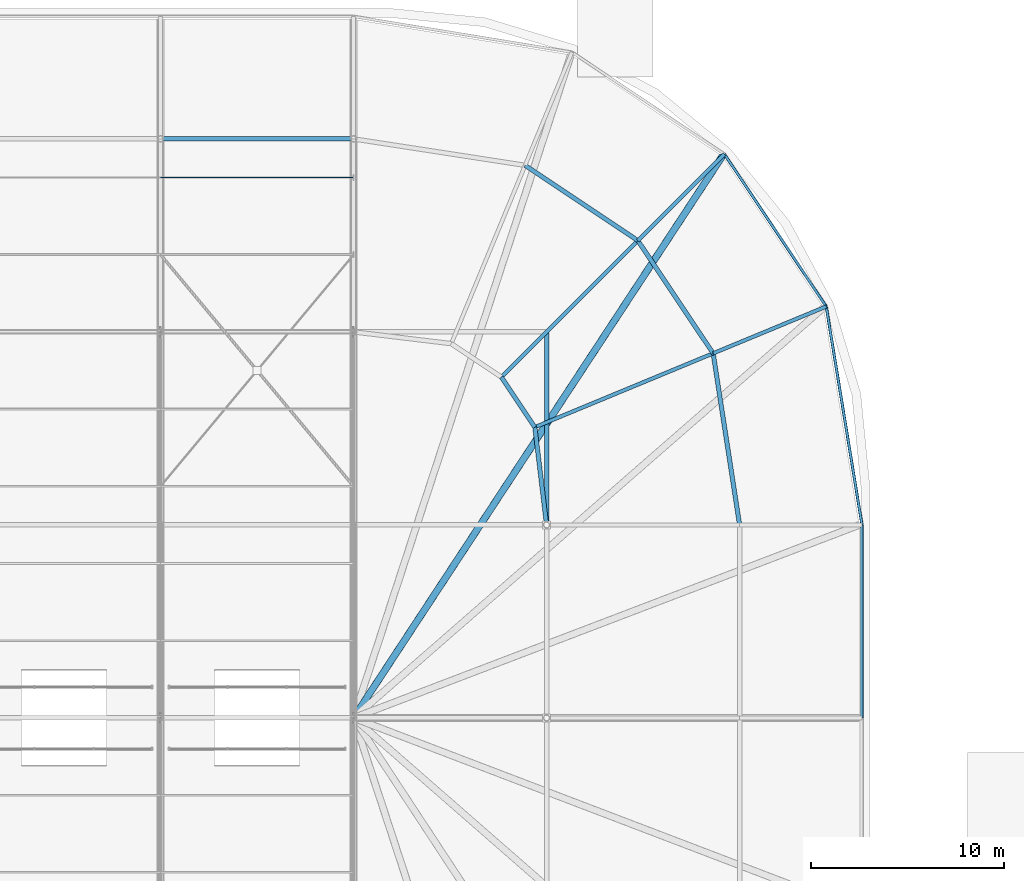
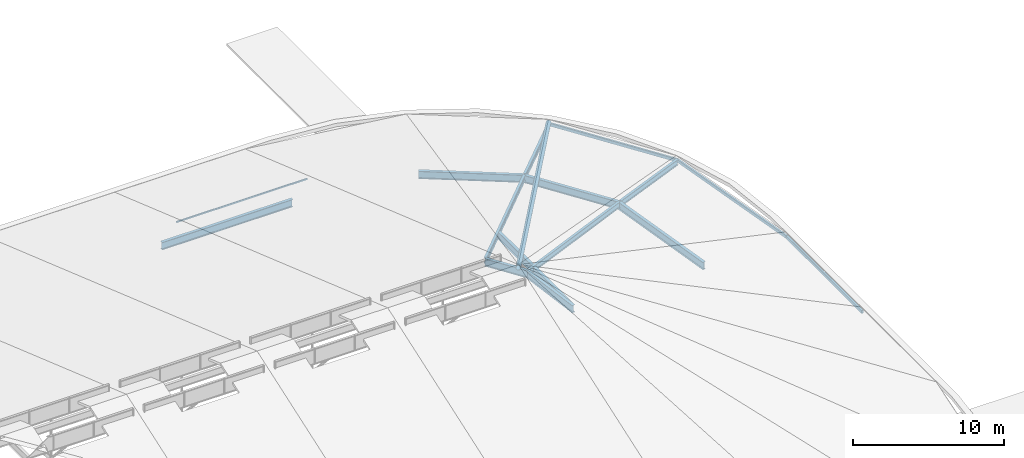
# One storey, part 73 of 93: 14 beams, 2 members.
"""IFC4 building model written with IfcOpenShell, lengths in metres."""

import ifcopenshell
import ifcopenshell.guid

model = None  # the IFC model being written
_history = None  # IfcOwnerHistory: only IFC2X3 demands one
_inside = {}  # id of a spatial element -> (the spatial element, [elements in it])
_under = {}  # id of a project, library or spatial element -> (it, [spatial elements below it])
_declared = {}  # id of a project -> (the project, [libraries it declares])
_typed = {}  # id of a type object -> (the type object, [elements of that type])
_made_of = {}  # id of a material, layer set ... -> (it, [elements and type objects made of it])


def new_model(schema):
    """Start an empty IFC model of exactly this schema.

    Asked for "IFC4X3", IfcOpenShell would pick the latest addendum, in which some entities
    have other attributes; the version numbers below select the first issue.
    IFC2X3 requires an IfcOwnerHistory on every rooted entity: one is made here for all.
    """
    global model, _history
    if schema == "IFC4X3":
        model = ifcopenshell.file(schema_version=(4, 3, 0, 0))
    else:
        model = ifcopenshell.file(schema=schema)
    _inside.clear()
    _under.clear()
    _declared.clear()
    _typed.clear()
    _made_of.clear()
    _history = None
    if model.schema == "IFC2X3":
        org = make("IfcOrganization", Name="unknown")
        user = make(
            "IfcPersonAndOrganization",
            ThePerson=make("IfcPerson", FamilyName="unknown"),
            TheOrganization=org,
        )
        app = make(
            "IfcApplication",
            ApplicationDeveloper=org,
            Version="unknown",
            ApplicationFullName="unknown",
            ApplicationIdentifier="unknown",
        )
        _history = make(
            "IfcOwnerHistory",
            OwningUser=user,
            OwningApplication=app,
            ChangeAction="ADDED",
            CreationDate=0,
        )
    return model


def make(cls, **values):
    """One entity of the class cls with the attributes given. An attribute that is None is left unset."""
    return model.create_entity(
        cls, **{name: value for name, value in values.items() if value is not None}
    )


def rooted(cls, **values):
    """An entity with a GlobalId (a new one), such as an element, a storey or a relation."""
    return make(cls, GlobalId=ifcopenshell.guid.new(), OwnerHistory=_history, **values)


def si_unit(unit_type, name, prefix=None):
    """IfcSIUnit, for example si_unit("LENGTHUNIT", "METRE", prefix="MILLI")."""
    return make("IfcSIUnit", UnitType=unit_type, Prefix=prefix, Name=name)


def derived_unit(unit_type, elements):
    """IfcDerivedUnit: a product of units, each with its exponent."""
    return make(
        "IfcDerivedUnit",
        Elements=[
            make("IfcDerivedUnitElement", Unit=unit, Exponent=power)
            for unit, power in elements
        ],
        UnitType=unit_type,
    )


def assignment(units):
    """IfcUnitAssignment: the units of a project."""
    return None if units is None else make("IfcUnitAssignment", Units=units)


def point(xyz):
    """IfcCartesianPoint."""
    return None if xyz is None else make("IfcCartesianPoint", Coordinates=xyz)


def direction(xyz):
    """IfcDirection."""
    return None if xyz is None else make("IfcDirection", DirectionRatios=xyz)


def frame(location, z_axis=None, x_axis=None):
    """IfcAxis2Placement3D, a coordinate frame: its origin and axes. An axis left out is left unset."""
    return make(
        "IfcAxis2Placement3D",
        Location=point(location),
        Axis=direction(z_axis),
        RefDirection=direction(x_axis),
    )


def frame_2d(location, x_axis=None):
    """IfcAxis2Placement2D, a coordinate frame in the plane: its origin and x axis."""
    return make(
        "IfcAxis2Placement2D", Location=point(location), RefDirection=direction(x_axis)
    )


def origin():
    """The frame at (0, 0, 0) with its axes left unset."""
    return frame((0.0, 0.0, 0.0))


def origin_2d_with_axis():
    """The frame at (0, 0) in the plane with the x axis (1, 0) written out."""
    return frame_2d((0.0, 0.0), x_axis=(1.0, 0.0))


def place(relative_to, where):
    """IfcLocalPlacement: puts the frame where relative to a parent placement (None: the world)."""
    return make(
        "IfcLocalPlacement", PlacementRelTo=relative_to, RelativePlacement=where
    )


def context(
    kind, dimensions, precision=None, world=None, true_north=None, identifier=None
):
    """IfcGeometricRepresentationContext, for example the 3D "Model" context."""
    return make(
        "IfcGeometricRepresentationContext",
        ContextIdentifier=identifier,
        ContextType=kind,
        CoordinateSpaceDimension=dimensions,
        Precision=precision,
        WorldCoordinateSystem=world,
        TrueNorth=true_north,
    )


def subcontext(parent, identifier, kind, view, scale=None):
    """IfcGeometricRepresentationSubContext, for example "Body" below "Model"."""
    return make(
        "IfcGeometricRepresentationSubContext",
        ContextIdentifier=identifier,
        ContextType=kind,
        ParentContext=parent,
        TargetScale=scale,
        TargetView=view,
    )


def project(units=None, contexts=None):
    """IfcProject with its units and contexts."""
    return rooted(
        "IfcProject",
        Name="project",
        RepresentationContexts=contexts,
        UnitsInContext=assignment(units),
    )


def spatial(cls, under=None, at=None, **own):
    """A site, building, storey or space (cls), placed at a placement, below another one or the project."""
    s = rooted(cls, ObjectPlacement=at, **own)
    if under is not None:
        _under.setdefault(under.id(), (under, []))[1].append(s)
    return s


def profile(cls, at=None, kind="AREA", **sizes):
    """A parametric profile (cls). Its sizes go by their IFC names, for example OverallWidth=200.0."""
    return make(cls, ProfileType=kind, Position=at, **sizes)


def hollow_rectangle(**sizes):
    """IfcRectangleHollowProfileDef."""
    return profile("IfcRectangleHollowProfileDef", **sizes)


def hollow_circle(**sizes):
    """IfcCircleHollowProfileDef."""
    return profile("IfcCircleHollowProfileDef", **sizes)


def i_section(**sizes):
    """IfcIShapeProfileDef."""
    return profile("IfcIShapeProfileDef", **sizes)


def extrude(swept, where, along, depth):
    """IfcExtrudedAreaSolid: the profile swept, set in the frame where, extruded along a direction by depth."""
    return make(
        "IfcExtrudedAreaSolid",
        SweptArea=swept,
        Position=where,
        ExtrudedDirection=direction(along),
        Depth=depth,
    )


def shape(context_of_items, identifier, shape_type, items):
    """IfcShapeRepresentation: the items that make up one representation, for example the "Body"."""
    return make(
        "IfcShapeRepresentation",
        ContextOfItems=context_of_items,
        RepresentationIdentifier=identifier,
        RepresentationType=shape_type,
        Items=items,
    )


def material(Name=None, Category=None):
    """IfcMaterial."""
    return make("IfcMaterial", Name=Name, Category=Category)


def material_profile(
    of_material, cross_section, Name=None, Category=None, Priority=None
):
    """IfcMaterialProfile: a cross section and its material."""
    return make(
        "IfcMaterialProfile",
        Name=Name,
        Material=of_material,
        Profile=cross_section,
        Priority=Priority,
        Category=Category,
    )


def profile_set(profiles, Name=None, composite=None):
    """IfcMaterialProfileSet."""
    return make(
        "IfcMaterialProfileSet",
        Name=Name,
        MaterialProfiles=profiles,
        CompositeProfile=composite,
    )


def made_of(thing, what):
    """Note that an element or type object is made of a material, layer set ...; save() writes the relation."""
    if what is not None:
        _made_of.setdefault(what.id(), (what, []))[1].append(thing)
    return thing


def type_object(cls, material=None, **own):
    """A type object (cls), such as IfcWallType, which elements share."""
    return made_of(rooted(cls, **own), material)


def element(
    cls,
    number,
    at=None,
    inside=None,
    cuts=None,
    type_object=None,
    material=None,
    context=None,
    identifier="Body",
    shape_type=None,
    held_by="IfcProductDefinitionShape",
    body=None,
    shapes=None,
    **own,
):
    """One element of the class cls, such as IfcWall. Its Tag is "e" and its number.

    at: its placement. inside: the storey or other place that contains it. cuts: it is an
    opening in that element (IfcRelVoidsElement). A single representation is given by context,
    identifier, shape_type and body (its items); several are given by shapes. held_by: the class
    of the entity that holds the representations. save() writes the other relations.
    """
    e = rooted(cls, Tag="e%d" % number, ObjectPlacement=at, **own)
    if body is not None:
        shapes = [shape(context, identifier, shape_type, body)]
    if shapes is not None:
        e.Representation = make(held_by, Representations=shapes)
    if inside is not None:
        _inside.setdefault(inside.id(), (inside, []))[1].append(e)
    if cuts is not None:
        rooted(
            "IfcRelVoidsElement", RelatingBuildingElement=cuts, RelatedOpeningElement=e
        )
    if type_object is not None:
        _typed.setdefault(type_object.id(), (type_object, []))[1].append(e)
    return made_of(e, material)


def aggregate(whole, parts):
    """IfcRelAggregates: a whole, such as a stair, and the parts it consists of."""
    return rooted("IfcRelAggregates", RelatingObject=whole, RelatedObjects=parts)


def save(model, path):
    """Write the relations noted so far, then the file.

    IfcRelAggregates (storeys below a building ...), IfcRelContainedInSpatialStructure (elements
    in a storey), IfcRelDefinesByType, IfcRelAssociatesMaterial and IfcRelDeclares: one each for
    every whole, place, type object, material and project.
    """
    for whole, parts in _under.values():
        aggregate(whole, parts)
    for where, things in _inside.values():
        rooted(
            "IfcRelContainedInSpatialStructure",
            RelatedElements=things,
            RelatingStructure=where,
        )
    for kind, things in _typed.values():
        rooted("IfcRelDefinesByType", RelatedObjects=things, RelatingType=kind)
    for what, things in _made_of.values():
        rooted("IfcRelAssociatesMaterial", RelatedObjects=things, RelatingMaterial=what)
    for by, libraries in _declared.values():
        rooted("IfcRelDeclares", RelatingContext=by, RelatedDefinitions=libraries)
    model.write(path)


model = new_model("IFC4")

# Units and contexts
model_context = context("Model", 3, precision=1e-05, world=origin(), true_north=direction((0.0, 1.0)))
body_context = subcontext(model_context, "Body", "Model", "MODEL_VIEW")
ifc_project = project(units=[si_unit("LENGTHUNIT", "METRE"), si_unit("AREAUNIT", "SQUARE_METRE"), si_unit("VOLUMEUNIT", "CUBIC_METRE"), si_unit("PLANEANGLEUNIT", "RADIAN"), si_unit("MASSUNIT", "GRAM", prefix="KILO"), derived_unit("THERMALTRANSMITTANCEUNIT", [(si_unit("POWERUNIT", "WATT"), 1), (si_unit("LENGTHUNIT", "METRE"), -2), (si_unit("THERMODYNAMICTEMPERATUREUNIT", "KELVIN"), -1)])], contexts=[model_context])

# Site, building, storey
site_placement = place(None, origin())
site = spatial("IfcSite", under=ifc_project, at=site_placement, CompositionType="ELEMENT")
building_placement = place(site_placement, origin())
building = spatial("IfcBuilding", under=site, at=building_placement, Name="Cinnabar Yard Market Hall", CompositionType="ELEMENT")
storey_placement = place(building_placement, frame((0.0, 0.0, 23.800048828125)))
storey = spatial("IfcBuildingStorey", under=building, at=storey_placement, Name="ROOF", CompositionType="ELEMENT", Elevation=23.800048828125)

# Beams
ifc_material_1 = material(Name="Steel Grade 350 (350 MPa)", Category="steel")
ifc_material_profile_1 = material_profile(ifc_material_1, i_section(OverallWidth=0.22900390625, OverallDepth=0.611572265625, WebThickness=0.011962890625, FlangeThickness=0.01953125, FilletRadius=0.013916015625, at=origin_2d_with_axis()), Name="610UB125")
ifc_profile_set_1 = profile_set([ifc_material_profile_1], Name="Steel Grade 350 (350 MPa)")
beam_type_1 = type_object("IfcBeamType", Name="BM-B01E", PredefinedType="BEAM", material=ifc_profile_set_1)
beam_1_placement = place(storey_placement, frame((136.0, 74.0, -9.705810546875), z_axis=(1.0, 0.0, 0.0), x_axis=(0.0, 1.0, 0.0)))
element("IfcBeam", 1, at=beam_1_placement, inside=storey, type_object=beam_type_1, Name="North Springer Girder 00367", PredefinedType="BEAM", context=body_context, shape_type="SweptSolid", body=[
    extrude(i_section(OverallWidth=0.22900390625, OverallDepth=0.611572265625, WebThickness=0.011962890625, FlangeThickness=0.01953125, FilletRadius=0.013916015625, at=origin_2d_with_axis()), origin(), (0.0, 0.0, 1.0), 10.0),
])
beam_2_placement = place(storey_placement, frame((166.0, 54.0, -9.705810546875), z_axis=(-0.152350933845, 0.988326460719, 0.0), x_axis=(-0.988326460719, -0.152350933845, 0.0)))
element("IfcBeam", 2, at=beam_2_placement, inside=storey, type_object=beam_type_1, Name="Outer Corner Ring NE 00485", PredefinedType="BEAM", context=body_context, shape_type="SweptSolid", body=[
    extrude(i_section(OverallWidth=0.22900390625, OverallDepth=0.611572265625, WebThickness=0.011962890625, FlangeThickness=0.01953125, FilletRadius=0.013916015625, at=origin_2d_with_axis()), origin(), (0.0, 0.0, 1.0), 8.9931640625),
])
for number, where, z_axis, x_axis, name in (
    (3, (164.6298828125, 62.88818359375, -9.705810546875), (-0.555590303377, 0.831456201368, 0.0), (-0.831456201368, -0.555590303377, 0.0), "Outer Corner Ring NE 00488"),
    (4, (160.727783203125, 68.727783203125, -9.705810546875), (-0.831456201368, 0.555590303377, 0.0), (-0.555590303377, -0.831456201368, 0.0), "Outer Corner Ring NE 00491"),
):
    element("IfcBeam", number, at=place(storey_placement, frame(where, z_axis=z_axis, x_axis=x_axis)), inside=storey, type_object=beam_type_1, Name=name, PredefinedType="BEAM", context=body_context, shape_type="SweptSolid", body=[
        extrude(i_section(OverallWidth=0.22900390625, OverallDepth=0.611572265625, WebThickness=0.011962890625, FlangeThickness=0.01953125, FilletRadius=0.013916015625, at=origin_2d_with_axis()), origin(), (0.0, 0.0, 1.0), 7.0234375),
    ])
ifc_material_2 = material(Name="Steel Grade 300 (300 MPa)", Category="steel")
ifc_material_profile_2 = material_profile(ifc_material_2, i_section(OverallWidth=0.22802734375, OverallDepth=0.60205078125, WebThickness=0.010498046875, FlangeThickness=0.014892578125, FilletRadius=0.013916015625, at=origin_2d_with_axis()), Name="610UB101")
ifc_profile_set_2 = profile_set([ifc_material_profile_2], Name="Steel Grade 300 (300 MPa)")
beam_type_2 = type_object("IfcBeamType", Name="BM-B02", PredefinedType="BEAM", material=ifc_profile_set_2)
beam_3_placement = place(storey_placement, frame((156.0, 54.0, -9.700927734375), z_axis=(0.0, 1.0, 0.0), x_axis=(-1.0, 0.0, 0.0)))
element("IfcBeam", 5, at=beam_3_placement, inside=storey, type_object=beam_type_2, Name="Hall Transverse Tie Girder 00447", PredefinedType="BEAM", context=body_context, shape_type="SweptSolid", body=[
    extrude(i_section(OverallWidth=0.22802734375, OverallDepth=0.60205078125, WebThickness=0.010498046875, FlangeThickness=0.014892578125, FilletRadius=0.013916015625, at=origin_2d_with_axis()), origin(), (0.0, 0.0, 1.0), 10.0),
])
beam_4_placement = place(storey_placement, frame((156.0, 54.0, -9.700927734375), z_axis=(-0.119436026198, 0.992841898615, 0.0), x_axis=(-0.992841898615, -0.119436026198, 0.0)))
element("IfcBeam", 6, at=beam_4_placement, inside=storey, type_object=beam_type_2, Name="Inner Corner Ring NE 00484", PredefinedType="BEAM", context=body_context, shape_type="SweptSolid", body=[
    extrude(i_section(OverallWidth=0.22802734375, OverallDepth=0.60205078125, WebThickness=0.010498046875, FlangeThickness=0.014892578125, FilletRadius=0.013916015625, at=origin_2d_with_axis()), origin(), (0.0, 0.0, 1.0), 5.097900390625),
])
beam_5_placement = place(storey_placement, frame((155.39111328125, 59.0615234375, -9.700927734375), z_axis=(-0.555548220115, 0.831484320434, 0.0), x_axis=(-0.831484320434, -0.555548220115, 0.0)))
element("IfcBeam", 7, at=beam_5_placement, inside=storey, type_object=beam_type_2, Name="Inner Corner Ring NE 00487", PredefinedType="BEAM", context=body_context, shape_type="SweptSolid", body=[
    extrude(i_section(OverallWidth=0.22802734375, OverallDepth=0.60205078125, WebThickness=0.010498046875, FlangeThickness=0.014892578125, FilletRadius=0.013916015625, at=origin_2d_with_axis()), origin(), (0.0, 0.0, 1.0), 3.12158203125),
])
ifc_material_profile_3 = material_profile(ifc_material_2, i_section(OverallWidth=0.19091796875, OverallDepth=0.46044921875, WebThickness=0.010009765625, FlangeThickness=0.01611328125, FilletRadius=0.011474609375, at=origin_2d_with_axis()), Name="460UB82.1")
ifc_profile_set_3 = profile_set([ifc_material_profile_3], Name="Steel Grade 300 (300 MPa)")
beam_type_3 = type_object("IfcBeamType", Name="BM-B04", PredefinedType="BEAM", material=ifc_profile_set_3)
beam_6_placement = place(storey_placement, frame((155.39111328125, 59.0615234375, -9.630126953125), z_axis=(0.923885312463, 0.382669478028, 0.0), x_axis=(-0.382669478028, 0.923885312463, 0.0)))
element("IfcBeam", 8, at=beam_6_placement, inside=storey, type_object=beam_type_3, Name="Corner Backspan Girder NE-2 00496", PredefinedType="BEAM", context=body_context, shape_type="SweptSolid", body=[
    extrude(i_section(OverallWidth=0.19091796875, OverallDepth=0.46044921875, WebThickness=0.010009765625, FlangeThickness=0.01611328125, FilletRadius=0.011474609375, at=origin_2d_with_axis()), origin(), (0.0, 0.0, 1.0), 10.0),
])
beam_7_placement = place(storey_placement, frame((153.656982421875, 61.656982421875, -9.630126953125), z_axis=(0.707106781187, 0.707106781187, 0.0), x_axis=(-0.707106781187, 0.707106781187, 0.0)))
element("IfcBeam", 9, at=beam_7_placement, inside=storey, type_object=beam_type_3, Name="Corner Backspan Girder NE-4 00498", PredefinedType="BEAM", context=body_context, shape_type="SweptSolid", body=[
    extrude(i_section(OverallWidth=0.19091796875, OverallDepth=0.46044921875, WebThickness=0.010009765625, FlangeThickness=0.01611328125, FilletRadius=0.011474609375, at=origin_2d_with_axis()), origin(), (0.0, 0.0, 1.0), 9.99951171875),
])
ifc_material_profile_4 = material_profile(ifc_material_2, i_section(OverallWidth=0.19091796875, OverallDepth=0.46044921875, WebThickness=0.010009765625, FlangeThickness=0.01611328125, FilletRadius=0.011474609375, at=origin_2d_with_axis()), Name="460UB82.1")
ifc_profile_set_4 = profile_set([ifc_material_profile_4], Name="Steel Grade 300 (300 MPa)")
beam_type_4 = type_object("IfcBeamType", Name="BM-RF02E", PredefinedType="BEAM", material=ifc_profile_set_4)
for number, where, z_axis, x_axis, name in (
    (10, (164.6298828125, 62.88818359375, -9.630126953125), (0.923803285729, 0.382659096931, -0.012629521412), (-0.382689618566, 0.923876970079, 0.0), "Corner Chhajja Cantilever NE-2 00497"),
    (11, (160.727783203125, 68.727783203125, -9.630126953125), (0.707050387112, 0.707050387112, -0.012629337634), (-0.707106781187, 0.707106781187, 0.0), "Corner Chhajja Cantilever NE-4 00499"),
):
    element("IfcBeam", number, at=place(storey_placement, frame(where, z_axis=z_axis, x_axis=x_axis)), inside=storey, type_object=beam_type_4, Name=name, PredefinedType="BEAM", context=body_context, shape_type="SweptSolid", body=[
        extrude(i_section(OverallWidth=0.19091796875, OverallDepth=0.46044921875, WebThickness=0.010009765625, FlangeThickness=0.01611328125, FilletRadius=0.011474609375, at=origin_2d_with_axis()), origin(), (0.0, 0.0, 1.0), 6.340576171875),
    ])
ifc_material_3 = material(Name="Cold-formed steel C350L0", Category="steel")
ifc_material_profile_5 = material_profile(ifc_material_3, hollow_rectangle(XDim=0.14990234375, YDim=0.25, WallThickness=0.009033203125, InnerFilletRadius=0.009033203125, OuterFilletRadius=0.01806640625, at=origin_2d_with_axis()), Name="250x150x9.0RHS")
ifc_profile_set_5 = profile_set([ifc_material_profile_5], Name="Cold-formed steel C350L0")
beam_type_5 = type_object("IfcBeamType", Name="BM-SP01E", PredefinedType="SPANDREL", material=ifc_profile_set_5)
beam_8_placement = place(storey_placement, frame((172.340087890625, 54.0, -9.60498046875), z_axis=(-0.161601310879, 0.986856127469, 0.0), x_axis=(-0.986856127469, -0.161601310879, 0.0)))
element("IfcBeam", 12, at=beam_8_placement, inside=storey, type_object=beam_type_5, Name="Eave Fascia Ring NE 00486", PredefinedType="SPANDREL", context=body_context, shape_type="SweptSolid", body=[
    extrude(hollow_rectangle(XDim=0.14990234375, YDim=0.25, WallThickness=0.009033203125, InnerFilletRadius=0.009033203125, OuterFilletRadius=0.01806640625, at=origin_2d_with_axis()), origin(), (0.0, 0.0, 1.0), 11.465087890625),
])
beam_9_placement = place(storey_placement, frame((170.4873046875, 65.314453125, -9.60498046875), z_axis=(-0.555577877471, 0.831464504392, 0.0), x_axis=(-0.831464504392, -0.555577877471, 0.0)))
element("IfcBeam", 13, at=beam_9_placement, inside=storey, type_object=beam_type_5, Name="Eave Fascia Ring NE 00489", PredefinedType="SPANDREL", context=body_context, shape_type="SweptSolid", body=[
    extrude(hollow_rectangle(XDim=0.14990234375, YDim=0.25, WallThickness=0.009033203125, InnerFilletRadius=0.009033203125, OuterFilletRadius=0.01806640625, at=origin_2d_with_axis()), origin(), (0.0, 0.0, 1.0), 9.4970703125),
])
beam_10_placement = place(storey_placement, frame((172.340087890625, 44.0, -9.60498046875), z_axis=(0.0, 1.0, 0.0), x_axis=(-1.0, 0.0, 0.0)))
element("IfcBeam", 14, at=beam_10_placement, inside=storey, type_object=beam_type_5, Name="East Eave Fascia 00575", PredefinedType="SPANDREL", context=body_context, shape_type="SweptSolid", body=[
    extrude(hollow_rectangle(XDim=0.14990234375, YDim=0.25, WallThickness=0.009033203125, InnerFilletRadius=0.009033203125, OuterFilletRadius=0.01806640625, at=origin_2d_with_axis()), origin(), (0.0, 0.0, 1.0), 10.0),
])

# Members
ifc_material_profile_6 = material_profile(ifc_material_3, hollow_rectangle(XDim=0.074951171875, YDim=0.125, WallThickness=0.0048828125, InnerFilletRadius=0.0048828125, OuterFilletRadius=0.010009765625, at=origin_2d_with_axis()), Name="125x75x5.0RHS")
ifc_profile_set_6 = profile_set([ifc_material_profile_6], Name="Cold-formed steel C350L0")
member_type_1 = type_object("IfcMemberType", Name="MB-PU04", PredefinedType="PURLIN", material=ifc_profile_set_6)
member_1_placement = place(storey_placement, frame((136.0, 72.0, -6.5859375), z_axis=(1.0, 0.0, 0.0), x_axis=(0.0, 1.0, 0.0)))
element("IfcMember", 15, at=member_1_placement, inside=storey, type_object=member_type_1, Name="Hall Roof Purlin Y72 X136", PredefinedType="PURLIN", context=body_context, shape_type="SweptSolid", body=[
    extrude(hollow_rectangle(XDim=0.074951171875, YDim=0.125, WallThickness=0.0048828125, InnerFilletRadius=0.0048828125, OuterFilletRadius=0.010009765625, at=origin_2d_with_axis()), origin(), (0.0, 0.0, 1.0), 10.0),
])
ifc_material_profile_7 = material_profile(ifc_material_3, hollow_circle(Radius=0.177734375, WallThickness=0.0126953125, at=origin_2d_with_axis()), Name="355.6x12.7CHS")
ifc_profile_set_7 = profile_set([ifc_material_profile_7], Name="Cold-formed steel C350L0")
member_type_2 = type_object("IfcMemberType", Name="MB-TC01", PredefinedType="CHORD", material=ifc_profile_set_7)
member_2_placement = place(storey_placement, frame((146.0, 44.0, 3.199951171875), z_axis=(0.516062640809, 0.786082003475, -0.340227033867), x_axis=(-0.835952129512, 0.548802366215, 0.0)))
element("IfcMember", 16, at=member_2_placement, inside=storey, type_object=member_type_2, Name="East Apsidal Hip Rafter 08", PredefinedType="CHORD", context=body_context, shape_type="SweptSolid", body=[
    extrude(hollow_circle(Radius=0.177734375, WallThickness=0.0126953125, at=origin_2d_with_axis()), origin(), (0.0, 0.0, 1.0), 37.034423828125),
])

save(model, "model.ifc")
